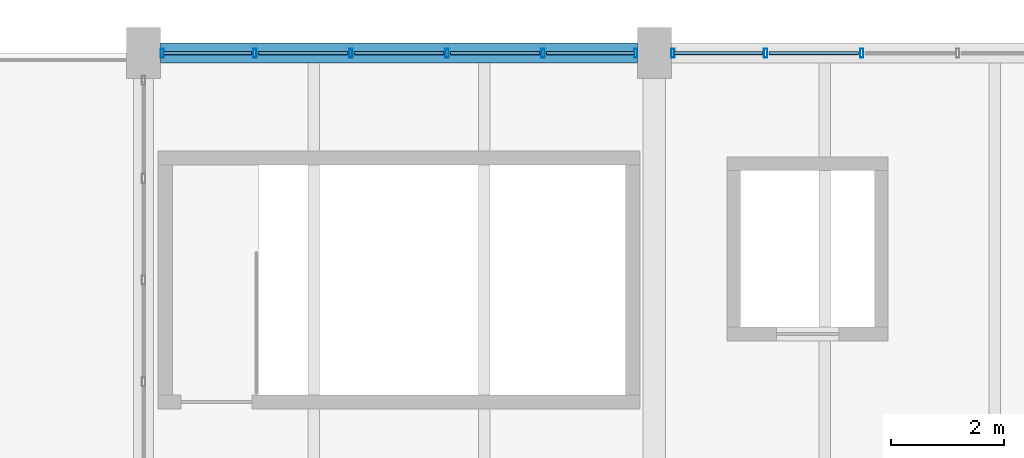
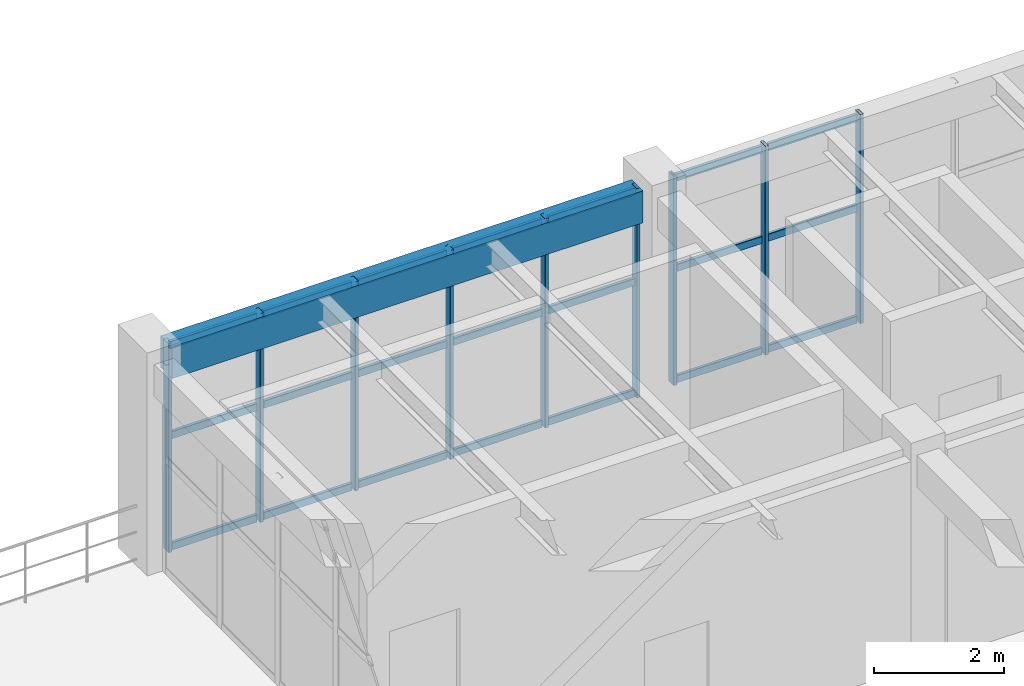
# One storey, part 67 of 148: 30 members, 1 beam, 2 elements without a shape of their own.
"""IFC4 building model written with IfcOpenShell, lengths in metres."""

from ifc_helpers import new_model, si_unit, derived_unit, direction, frame, origin, origin_2d, place, context, subcontext, project, spatial, rectangle, hollow_rectangle, extrude, material, material_profile, profile_set, type_object, element, aggregate, save


model = new_model("IFC4")

# Units and contexts
model_context = context("Model", 3, precision=1e-05, world=origin(), true_north=direction((0.0, 1.0)))
body_context = subcontext(model_context, "Body", "Model", "MODEL_VIEW")
ifc_project = project(units=[si_unit("LENGTHUNIT", "METRE"), si_unit("AREAUNIT", "SQUARE_METRE"), si_unit("VOLUMEUNIT", "CUBIC_METRE"), si_unit("PLANEANGLEUNIT", "RADIAN"), si_unit("MASSUNIT", "GRAM", prefix="KILO"), derived_unit("THERMALTRANSMITTANCEUNIT", [(si_unit("MASSUNIT", "GRAM", prefix="KILO"), 1), (si_unit("TIMEUNIT", "SECOND"), -3), (si_unit("THERMODYNAMICTEMPERATUREUNIT", "KELVIN"), -1)])], contexts=[model_context])

# Site, building, storey
site_placement = place(None, origin())
site = spatial("IfcSite", under=ifc_project, at=site_placement, CompositionType="ELEMENT")
building_placement = place(site_placement, origin())
building = spatial("IfcBuilding", under=site, at=building_placement, Name="Zhenchuan Archway Interchange", CompositionType="ELEMENT")
storey_placement = place(building_placement, frame((0.0, 0.0, 10.199951171875)))
storey = spatial("IfcBuildingStorey", under=building, at=storey_placement, Name="L02", CompositionType="ELEMENT", Elevation=10.199951171875)

# Curtain wall, members
ifc_material_1 = material(Name="Anodised Aluminium", Category="aluminium")
curtain_wall_type_1 = type_object("IfcCurtainWallType", Name="CW_UNIT_4", PredefinedType="NOTDEFINED", material=ifc_material_1)
curtain_wall_1_placement = place(storey_placement, origin())
curtain_wall_1 = element("IfcCurtainWall", 1, at=curtain_wall_1_placement, inside=storey, type_object=curtain_wall_type_1, Name="Unitised curtain wall CW:L02:139", PredefinedType="NOTDEFINED")
ifc_material_profile_1 = material_profile(ifc_material_1, hollow_rectangle(XDim=0.06005859375, YDim=0.159912109375, WallThickness=0.00390625, InnerFilletRadius=0.00390625, OuterFilletRadius=0.008056640625, at=origin_2d()), Name="ALU 160x60x4")
ifc_profile_set_1 = profile_set([ifc_material_profile_1], Name="Anodised Aluminium")
member_type_1 = type_object("IfcMemberType", Name="CW_MUL_150", PredefinedType="MULLION", material=ifc_profile_set_1)
member_1_placement = place(storey_placement, frame((9.327880859375, 112.0, 0.0), z_axis=(0.0, 0.0, 1.0), x_axis=(1.0, 0.0, 0.0)))
member_1 = element("IfcMember", 2, at=member_1_placement, type_object=member_type_1, Name="CW:L02:139 mullion 0", PredefinedType="MULLION", context=body_context, shape_type="SweptSolid", body=[
    extrude(hollow_rectangle(XDim=0.06005859375, YDim=0.159912109375, WallThickness=0.00390625, InnerFilletRadius=0.00390625, OuterFilletRadius=0.008056640625, at=origin_2d()), origin(), (0.0, 0.0, 1.0), 3.93994140625),
])
member_2_placement = place(storey_placement, frame((10.960693359375, 112.0, 0.0), z_axis=(0.0, 0.0, 1.0), x_axis=(1.0, 0.0, 0.0)))
member_2 = element("IfcMember", 3, at=member_2_placement, type_object=member_type_1, Name="CW:L02:139 mullion 1", PredefinedType="MULLION", context=body_context, shape_type="SweptSolid", body=[
    extrude(hollow_rectangle(XDim=0.06005859375, YDim=0.159912109375, WallThickness=0.00390625, InnerFilletRadius=0.00390625, OuterFilletRadius=0.008056640625, at=origin_2d()), origin(), (0.0, 0.0, 1.0), 3.93994140625),
])
member_3_placement = place(storey_placement, frame((12.653564453125, 112.0, 0.0), z_axis=(0.0, 0.0, 1.0), x_axis=(1.0, 0.0, 0.0)))
member_3 = element("IfcMember", 4, at=member_3_placement, type_object=member_type_1, Name="CW:L02:139 mullion 2", PredefinedType="MULLION", context=body_context, shape_type="SweptSolid", body=[
    extrude(hollow_rectangle(XDim=0.06005859375, YDim=0.159912109375, WallThickness=0.00390625, InnerFilletRadius=0.00390625, OuterFilletRadius=0.008056640625, at=origin_2d()), origin(), (0.0, 0.0, 1.0), 3.93994140625),
])
member_4_placement = place(storey_placement, frame((14.346435546875, 112.0, 0.0), z_axis=(0.0, 0.0, 1.0), x_axis=(1.0, 0.0, 0.0)))
member_4 = element("IfcMember", 5, at=member_4_placement, type_object=member_type_1, Name="CW:L02:139 mullion 3", PredefinedType="MULLION", context=body_context, shape_type="SweptSolid", body=[
    extrude(hollow_rectangle(XDim=0.06005859375, YDim=0.159912109375, WallThickness=0.00390625, InnerFilletRadius=0.00390625, OuterFilletRadius=0.008056640625, at=origin_2d()), origin(), (0.0, 0.0, 1.0), 3.93994140625),
])
member_5_placement = place(storey_placement, frame((16.039306640625, 112.0, 0.0), z_axis=(0.0, 0.0, 1.0), x_axis=(1.0, 0.0, 0.0)))
member_5 = element("IfcMember", 6, at=member_5_placement, type_object=member_type_1, Name="CW:L02:139 mullion 4", PredefinedType="MULLION", context=body_context, shape_type="SweptSolid", body=[
    extrude(hollow_rectangle(XDim=0.06005859375, YDim=0.159912109375, WallThickness=0.00390625, InnerFilletRadius=0.00390625, OuterFilletRadius=0.008056640625, at=origin_2d()), origin(), (0.0, 0.0, 1.0), 3.93994140625),
])
member_6_placement = place(storey_placement, frame((17.672119140625, 112.0, 0.0), z_axis=(0.0, 0.0, 1.0), x_axis=(1.0, 0.0, 0.0)))
member_6 = element("IfcMember", 7, at=member_6_placement, type_object=member_type_1, Name="CW:L02:139 mullion 5", PredefinedType="MULLION", context=body_context, shape_type="SweptSolid", body=[
    extrude(hollow_rectangle(XDim=0.06005859375, YDim=0.159912109375, WallThickness=0.00390625, InnerFilletRadius=0.00390625, OuterFilletRadius=0.008056640625, at=origin_2d()), origin(), (0.0, 0.0, 1.0), 3.93994140625),
])

curtain_wall_type_2 = type_object("IfcCurtainWallType", Name="CW_UNIT_1", PredefinedType="NOTDEFINED", material=ifc_material_1)
curtain_wall_2_placement = place(storey_placement, origin())
curtain_wall_2 = element("IfcCurtainWall", 8, at=curtain_wall_2_placement, inside=storey, type_object=curtain_wall_type_2, Name="Unitised curtain wall CW:L02:140", PredefinedType="NOTDEFINED")
member_7_placement = place(storey_placement, frame((18.327880859375, 112.0, 0.0), z_axis=(0.0, 0.0, 1.0), x_axis=(1.0, 0.0, 0.0)))
member_7 = element("IfcMember", 9, at=member_7_placement, type_object=member_type_1, Name="CW:L02:140 mullion 0", PredefinedType="MULLION", context=body_context, shape_type="SweptSolid", body=[
    extrude(hollow_rectangle(XDim=0.06005859375, YDim=0.159912109375, WallThickness=0.00390625, InnerFilletRadius=0.00390625, OuterFilletRadius=0.008056640625, at=origin_2d()), origin(), (0.0, 0.0, 1.0), 3.93994140625),
])
member_8_placement = place(storey_placement, frame((19.960693359375, 112.0, 0.0), z_axis=(0.0, 0.0, 1.0), x_axis=(1.0, 0.0, 0.0)))
member_8 = element("IfcMember", 10, at=member_8_placement, type_object=member_type_1, Name="CW:L02:140 mullion 1", PredefinedType="MULLION", context=body_context, shape_type="SweptSolid", body=[
    extrude(hollow_rectangle(XDim=0.06005859375, YDim=0.159912109375, WallThickness=0.00390625, InnerFilletRadius=0.00390625, OuterFilletRadius=0.008056640625, at=origin_2d()), origin(), (0.0, 0.0, 1.0), 3.93994140625),
])
member_9_placement = place(storey_placement, frame((21.653564453125, 112.0, 0.0), z_axis=(0.0, 0.0, 1.0), x_axis=(1.0, 0.0, 0.0)))
member_9 = element("IfcMember", 11, at=member_9_placement, type_object=member_type_1, Name="CW:L02:140 mullion 2", PredefinedType="MULLION", context=body_context, shape_type="SweptSolid", body=[
    extrude(hollow_rectangle(XDim=0.06005859375, YDim=0.159912109375, WallThickness=0.00390625, InnerFilletRadius=0.00390625, OuterFilletRadius=0.008056640625, at=origin_2d()), origin(), (0.0, 0.0, 1.0), 3.93994140625),
])

# Member
ifc_material_profile_2 = material_profile(ifc_material_1, hollow_rectangle(XDim=0.06005859375, YDim=0.139892578125, WallThickness=0.00341796875, InnerFilletRadius=0.00341796875, OuterFilletRadius=0.007080078125, at=origin_2d()), Name="ALU 140x60x3.5")
ifc_profile_set_2 = profile_set([ifc_material_profile_2], Name="Anodised Aluminium")
member_type_2 = type_object("IfcMemberType", Name="CW_TRN_140", PredefinedType="USERDEFINED", material=ifc_profile_set_2)
member_10_placement = place(storey_placement, frame((9.347900390625, 112.0, 0.06005859375), z_axis=(1.0, 0.0, 0.0), x_axis=(0.0, 1.0, 0.0)))
member_10 = element("IfcMember", 12, at=member_10_placement, type_object=member_type_2, Name="CW:L02:139 transom 0-1", ObjectType="TRANSOM", PredefinedType="USERDEFINED", context=body_context, shape_type="SweptSolid", body=[
    extrude(hollow_rectangle(XDim=0.06005859375, YDim=0.139892578125, WallThickness=0.00341796875, InnerFilletRadius=0.00341796875, OuterFilletRadius=0.007080078125, at=origin_2d()), origin(), (0.0, 0.0, 1.0), 1.552978515625),
])

member_11_placement = place(storey_placement, frame((9.347900390625, 112.0, 2.156005859375), z_axis=(1.0, 0.0, 0.0), x_axis=(0.0, 1.0, 0.0)))
member_11 = element("IfcMember", 13, at=member_11_placement, type_object=member_type_2, Name="CW:L02:139 transom 0-2", ObjectType="TRANSOM", PredefinedType="USERDEFINED", context=body_context, shape_type="SweptSolid", body=[
    extrude(hollow_rectangle(XDim=0.06005859375, YDim=0.139892578125, WallThickness=0.00341796875, InnerFilletRadius=0.00341796875, OuterFilletRadius=0.007080078125, at=origin_2d()), origin(), (0.0, 0.0, 1.0), 1.552978515625),
])

member_12_placement = place(storey_placement, frame((9.347900390625, 112.0, 3.860107421875), z_axis=(1.0, 0.0, 0.0), x_axis=(0.0, 1.0, 0.0)))
member_12 = element("IfcMember", 14, at=member_12_placement, type_object=member_type_2, Name="CW:L02:139 transom 0-3", ObjectType="TRANSOM", PredefinedType="USERDEFINED", context=body_context, shape_type="SweptSolid", body=[
    extrude(hollow_rectangle(XDim=0.06005859375, YDim=0.139892578125, WallThickness=0.00341796875, InnerFilletRadius=0.00341796875, OuterFilletRadius=0.007080078125, at=origin_2d()), origin(), (0.0, 0.0, 1.0), 1.552978515625),
])

member_13_placement = place(storey_placement, frame((11.020751953125, 112.0, 0.06005859375), z_axis=(1.0, 0.0, 0.0), x_axis=(0.0, 1.0, 0.0)))
member_13 = element("IfcMember", 15, at=member_13_placement, type_object=member_type_2, Name="CW:L02:139 transom 1-1", ObjectType="TRANSOM", PredefinedType="USERDEFINED", context=body_context, shape_type="SweptSolid", body=[
    extrude(hollow_rectangle(XDim=0.06005859375, YDim=0.139892578125, WallThickness=0.00341796875, InnerFilletRadius=0.00341796875, OuterFilletRadius=0.007080078125, at=origin_2d()), origin(), (0.0, 0.0, 1.0), 1.57275390625),
])

member_14_placement = place(storey_placement, frame((11.020751953125, 112.0, 2.156005859375), z_axis=(1.0, 0.0, 0.0), x_axis=(0.0, 1.0, 0.0)))
member_14 = element("IfcMember", 16, at=member_14_placement, type_object=member_type_2, Name="CW:L02:139 transom 1-2", ObjectType="TRANSOM", PredefinedType="USERDEFINED", context=body_context, shape_type="SweptSolid", body=[
    extrude(hollow_rectangle(XDim=0.06005859375, YDim=0.139892578125, WallThickness=0.00341796875, InnerFilletRadius=0.00341796875, OuterFilletRadius=0.007080078125, at=origin_2d()), origin(), (0.0, 0.0, 1.0), 1.57275390625),
])

member_15_placement = place(storey_placement, frame((11.020751953125, 112.0, 3.860107421875), z_axis=(1.0, 0.0, 0.0), x_axis=(0.0, 1.0, 0.0)))
member_15 = element("IfcMember", 17, at=member_15_placement, type_object=member_type_2, Name="CW:L02:139 transom 1-3", ObjectType="TRANSOM", PredefinedType="USERDEFINED", context=body_context, shape_type="SweptSolid", body=[
    extrude(hollow_rectangle(XDim=0.06005859375, YDim=0.139892578125, WallThickness=0.00341796875, InnerFilletRadius=0.00341796875, OuterFilletRadius=0.007080078125, at=origin_2d()), origin(), (0.0, 0.0, 1.0), 1.57275390625),
])

member_16_placement = place(storey_placement, frame((12.713623046875, 112.0, 0.06005859375), z_axis=(1.0, 0.0, 0.0), x_axis=(0.0, 1.0, 0.0)))
member_16 = element("IfcMember", 18, at=member_16_placement, type_object=member_type_2, Name="CW:L02:139 transom 2-1", ObjectType="TRANSOM", PredefinedType="USERDEFINED", context=body_context, shape_type="SweptSolid", body=[
    extrude(hollow_rectangle(XDim=0.06005859375, YDim=0.139892578125, WallThickness=0.00341796875, InnerFilletRadius=0.00341796875, OuterFilletRadius=0.007080078125, at=origin_2d()), origin(), (0.0, 0.0, 1.0), 1.57275390625),
])

member_17_placement = place(storey_placement, frame((12.713623046875, 112.0, 2.156005859375), z_axis=(1.0, 0.0, 0.0), x_axis=(0.0, 1.0, 0.0)))
member_17 = element("IfcMember", 19, at=member_17_placement, type_object=member_type_2, Name="CW:L02:139 transom 2-2", ObjectType="TRANSOM", PredefinedType="USERDEFINED", context=body_context, shape_type="SweptSolid", body=[
    extrude(hollow_rectangle(XDim=0.06005859375, YDim=0.139892578125, WallThickness=0.00341796875, InnerFilletRadius=0.00341796875, OuterFilletRadius=0.007080078125, at=origin_2d()), origin(), (0.0, 0.0, 1.0), 1.57275390625),
])

member_18_placement = place(storey_placement, frame((12.713623046875, 112.0, 3.860107421875), z_axis=(1.0, 0.0, 0.0), x_axis=(0.0, 1.0, 0.0)))
member_18 = element("IfcMember", 20, at=member_18_placement, type_object=member_type_2, Name="CW:L02:139 transom 2-3", ObjectType="TRANSOM", PredefinedType="USERDEFINED", context=body_context, shape_type="SweptSolid", body=[
    extrude(hollow_rectangle(XDim=0.06005859375, YDim=0.139892578125, WallThickness=0.00341796875, InnerFilletRadius=0.00341796875, OuterFilletRadius=0.007080078125, at=origin_2d()), origin(), (0.0, 0.0, 1.0), 1.57275390625),
])

member_19_placement = place(storey_placement, frame((14.406494140625, 112.0, 0.06005859375), z_axis=(1.0, 0.0, 0.0), x_axis=(0.0, 1.0, 0.0)))
member_19 = element("IfcMember", 21, at=member_19_placement, type_object=member_type_2, Name="CW:L02:139 transom 3-1", ObjectType="TRANSOM", PredefinedType="USERDEFINED", context=body_context, shape_type="SweptSolid", body=[
    extrude(hollow_rectangle(XDim=0.06005859375, YDim=0.139892578125, WallThickness=0.00341796875, InnerFilletRadius=0.00341796875, OuterFilletRadius=0.007080078125, at=origin_2d()), origin(), (0.0, 0.0, 1.0), 1.57275390625),
])

member_20_placement = place(storey_placement, frame((14.406494140625, 112.0, 2.156005859375), z_axis=(1.0, 0.0, 0.0), x_axis=(0.0, 1.0, 0.0)))
member_20 = element("IfcMember", 22, at=member_20_placement, type_object=member_type_2, Name="CW:L02:139 transom 3-2", ObjectType="TRANSOM", PredefinedType="USERDEFINED", context=body_context, shape_type="SweptSolid", body=[
    extrude(hollow_rectangle(XDim=0.06005859375, YDim=0.139892578125, WallThickness=0.00341796875, InnerFilletRadius=0.00341796875, OuterFilletRadius=0.007080078125, at=origin_2d()), origin(), (0.0, 0.0, 1.0), 1.57275390625),
])

member_21_placement = place(storey_placement, frame((14.406494140625, 112.0, 3.860107421875), z_axis=(1.0, 0.0, 0.0), x_axis=(0.0, 1.0, 0.0)))
member_21 = element("IfcMember", 23, at=member_21_placement, type_object=member_type_2, Name="CW:L02:139 transom 3-3", ObjectType="TRANSOM", PredefinedType="USERDEFINED", context=body_context, shape_type="SweptSolid", body=[
    extrude(hollow_rectangle(XDim=0.06005859375, YDim=0.139892578125, WallThickness=0.00341796875, InnerFilletRadius=0.00341796875, OuterFilletRadius=0.007080078125, at=origin_2d()), origin(), (0.0, 0.0, 1.0), 1.57275390625),
])

member_22_placement = place(storey_placement, frame((16.09912109375, 112.0, 0.06005859375), z_axis=(1.0, 0.0, 0.0), x_axis=(0.0, 1.0, 0.0)))
member_22 = element("IfcMember", 24, at=member_22_placement, type_object=member_type_2, Name="CW:L02:139 transom 4-1", ObjectType="TRANSOM", PredefinedType="USERDEFINED", context=body_context, shape_type="SweptSolid", body=[
    extrude(hollow_rectangle(XDim=0.06005859375, YDim=0.139892578125, WallThickness=0.00341796875, InnerFilletRadius=0.00341796875, OuterFilletRadius=0.007080078125, at=origin_2d()), origin(), (0.0, 0.0, 1.0), 1.552978515625),
])

member_23_placement = place(storey_placement, frame((16.09912109375, 112.0, 2.156005859375), z_axis=(1.0, 0.0, 0.0), x_axis=(0.0, 1.0, 0.0)))
member_23 = element("IfcMember", 25, at=member_23_placement, type_object=member_type_2, Name="CW:L02:139 transom 4-2", ObjectType="TRANSOM", PredefinedType="USERDEFINED", context=body_context, shape_type="SweptSolid", body=[
    extrude(hollow_rectangle(XDim=0.06005859375, YDim=0.139892578125, WallThickness=0.00341796875, InnerFilletRadius=0.00341796875, OuterFilletRadius=0.007080078125, at=origin_2d()), origin(), (0.0, 0.0, 1.0), 1.552978515625),
])

member_24_placement = place(storey_placement, frame((16.09912109375, 112.0, 3.860107421875), z_axis=(1.0, 0.0, 0.0), x_axis=(0.0, 1.0, 0.0)))
member_24 = element("IfcMember", 26, at=member_24_placement, type_object=member_type_2, Name="CW:L02:139 transom 4-3", ObjectType="TRANSOM", PredefinedType="USERDEFINED", context=body_context, shape_type="SweptSolid", body=[
    extrude(hollow_rectangle(XDim=0.06005859375, YDim=0.139892578125, WallThickness=0.00341796875, InnerFilletRadius=0.00341796875, OuterFilletRadius=0.007080078125, at=origin_2d()), origin(), (0.0, 0.0, 1.0), 1.552978515625),
])

aggregate(curtain_wall_1, [member_1, member_2, member_3, member_4, member_5, member_6, member_10, member_11, member_12, member_13, member_14, member_15, member_16, member_17, member_18, member_19, member_20, member_21, member_22, member_23, member_24])

member_25_placement = place(storey_placement, frame((18.347900390625, 112.0, 0.06005859375), z_axis=(1.0, 0.0, 0.0), x_axis=(0.0, 1.0, 0.0)))
member_25 = element("IfcMember", 27, at=member_25_placement, type_object=member_type_2, Name="CW:L02:140 transom 0-1", ObjectType="TRANSOM", PredefinedType="USERDEFINED", context=body_context, shape_type="SweptSolid", body=[
    extrude(hollow_rectangle(XDim=0.06005859375, YDim=0.139892578125, WallThickness=0.00341796875, InnerFilletRadius=0.00341796875, OuterFilletRadius=0.007080078125, at=origin_2d()), origin(), (0.0, 0.0, 1.0), 1.552978515625),
])

member_26_placement = place(storey_placement, frame((18.347900390625, 112.0, 2.156005859375), z_axis=(1.0, 0.0, 0.0), x_axis=(0.0, 1.0, 0.0)))
member_26 = element("IfcMember", 28, at=member_26_placement, type_object=member_type_2, Name="CW:L02:140 transom 0-2", ObjectType="TRANSOM", PredefinedType="USERDEFINED", context=body_context, shape_type="SweptSolid", body=[
    extrude(hollow_rectangle(XDim=0.06005859375, YDim=0.139892578125, WallThickness=0.00341796875, InnerFilletRadius=0.00341796875, OuterFilletRadius=0.007080078125, at=origin_2d()), origin(), (0.0, 0.0, 1.0), 1.552978515625),
])

member_27_placement = place(storey_placement, frame((18.347900390625, 112.0, 3.860107421875), z_axis=(1.0, 0.0, 0.0), x_axis=(0.0, 1.0, 0.0)))
member_27 = element("IfcMember", 29, at=member_27_placement, type_object=member_type_2, Name="CW:L02:140 transom 0-3", ObjectType="TRANSOM", PredefinedType="USERDEFINED", context=body_context, shape_type="SweptSolid", body=[
    extrude(hollow_rectangle(XDim=0.06005859375, YDim=0.139892578125, WallThickness=0.00341796875, InnerFilletRadius=0.00341796875, OuterFilletRadius=0.007080078125, at=origin_2d()), origin(), (0.0, 0.0, 1.0), 1.552978515625),
])

member_28_placement = place(storey_placement, frame((20.020751953125, 112.0, 0.06005859375), z_axis=(1.0, 0.0, 0.0), x_axis=(0.0, 1.0, 0.0)))
member_28 = element("IfcMember", 30, at=member_28_placement, type_object=member_type_2, Name="CW:L02:140 transom 1-1", ObjectType="TRANSOM", PredefinedType="USERDEFINED", context=body_context, shape_type="SweptSolid", body=[
    extrude(hollow_rectangle(XDim=0.06005859375, YDim=0.139892578125, WallThickness=0.00341796875, InnerFilletRadius=0.00341796875, OuterFilletRadius=0.007080078125, at=origin_2d()), origin(), (0.0, 0.0, 1.0), 1.57275390625),
])

member_29_placement = place(storey_placement, frame((20.020751953125, 112.0, 2.156005859375), z_axis=(1.0, 0.0, 0.0), x_axis=(0.0, 1.0, 0.0)))
member_29 = element("IfcMember", 31, at=member_29_placement, type_object=member_type_2, Name="CW:L02:140 transom 1-2", ObjectType="TRANSOM", PredefinedType="USERDEFINED", context=body_context, shape_type="SweptSolid", body=[
    extrude(hollow_rectangle(XDim=0.06005859375, YDim=0.139892578125, WallThickness=0.00341796875, InnerFilletRadius=0.00341796875, OuterFilletRadius=0.007080078125, at=origin_2d()), origin(), (0.0, 0.0, 1.0), 1.57275390625),
])

member_30_placement = place(storey_placement, frame((20.020751953125, 112.0, 3.860107421875), z_axis=(1.0, 0.0, 0.0), x_axis=(0.0, 1.0, 0.0)))
member_30 = element("IfcMember", 32, at=member_30_placement, type_object=member_type_2, Name="CW:L02:140 transom 1-3", ObjectType="TRANSOM", PredefinedType="USERDEFINED", context=body_context, shape_type="SweptSolid", body=[
    extrude(hollow_rectangle(XDim=0.06005859375, YDim=0.139892578125, WallThickness=0.00341796875, InnerFilletRadius=0.00341796875, OuterFilletRadius=0.007080078125, at=origin_2d()), origin(), (0.0, 0.0, 1.0), 1.57275390625),
])

aggregate(curtain_wall_2, [member_7, member_8, member_9, member_25, member_26, member_27, member_28, member_29, member_30])

# Beam
ifc_material_2 = material(Name="Concrete C40", Category="concrete")
ifc_material_profile_3 = material_profile(ifc_material_2, rectangle(XDim=0.35009765625, YDim=0.60009765625, at=origin_2d()), Name="RC 350x600")
ifc_profile_set_3 = profile_set([ifc_material_profile_3], Name="Concrete C40")
beam_type = type_object("IfcBeamType", Name="SP_RC_350x600", PredefinedType="SPANDREL", material=ifc_profile_set_3)
beam_placement = place(storey_placement, frame((9.300048828125, 112.0, 3.64013671875), z_axis=(1.0, 0.0, 0.0), x_axis=(0.0, 1.0, 0.0)))
element("IfcBeam", 33, at=beam_placement, inside=storey, type_object=beam_type, Name="Beam P:2-3 (L02)", PredefinedType="SPANDREL", context=body_context, shape_type="SweptSolid", body=[
    extrude(rectangle(XDim=0.35009765625, YDim=0.60009765625, at=origin_2d()), origin(), (0.0, 0.0, 1.0), 8.39990234375),
])

save(model, "model.ifc")
